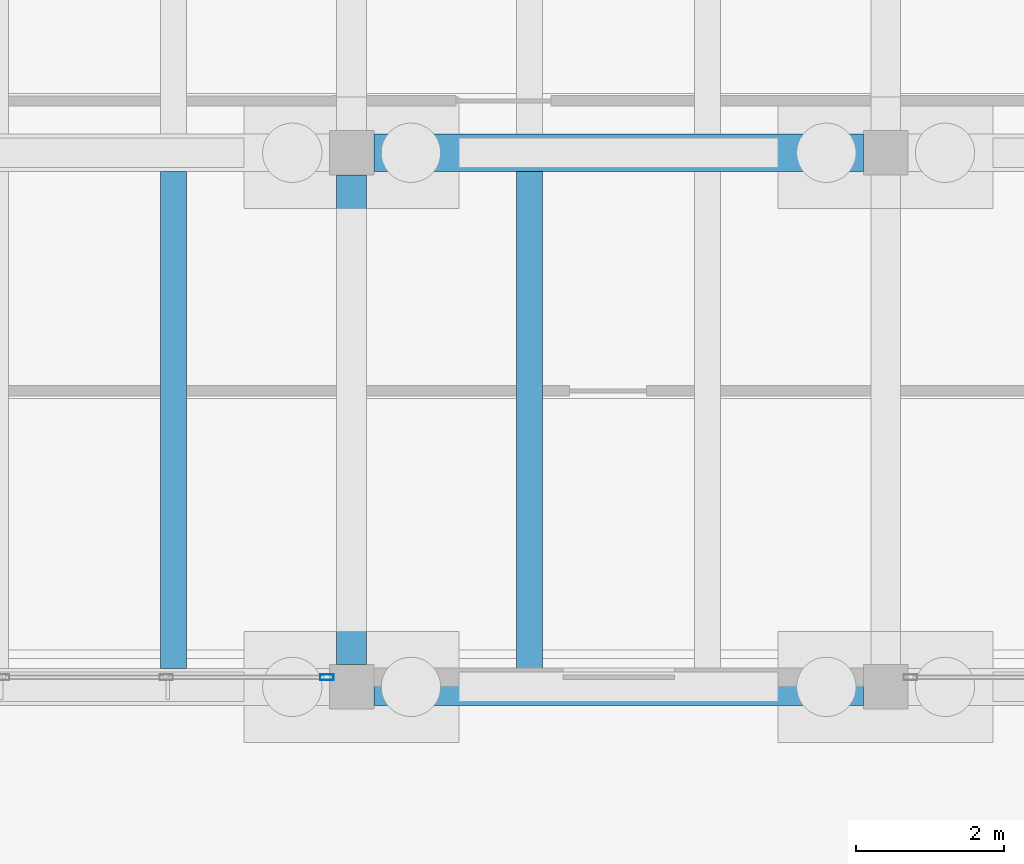
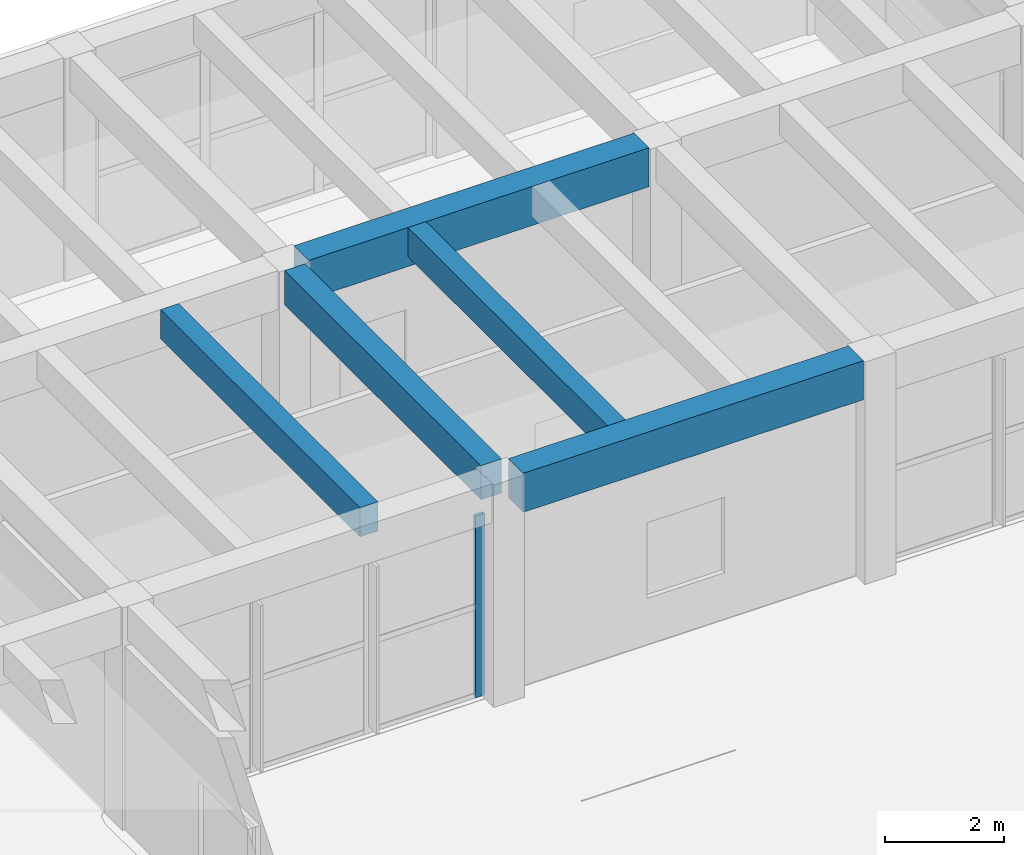
# One storey, part 54 of 155: 5 beams, 1 member, 1 element without a shape of its own.
"""IFC4 building model written with IfcOpenShell, lengths in metres."""

import ifcopenshell
import ifcopenshell.guid

model = None  # the IFC model being written
_history = None  # IfcOwnerHistory: only IFC2X3 demands one
_inside = {}  # id of a spatial element -> (the spatial element, [elements in it])
_under = {}  # id of a project, library or spatial element -> (it, [spatial elements below it])
_declared = {}  # id of a project -> (the project, [libraries it declares])
_typed = {}  # id of a type object -> (the type object, [elements of that type])
_made_of = {}  # id of a material, layer set ... -> (it, [elements and type objects made of it])


def new_model(schema):
    """Start an empty IFC model of exactly this schema.

    Asked for "IFC4X3", IfcOpenShell would pick the latest addendum, in which some entities
    have other attributes; the version numbers below select the first issue.
    IFC2X3 requires an IfcOwnerHistory on every rooted entity: one is made here for all.
    """
    global model, _history
    if schema == "IFC4X3":
        model = ifcopenshell.file(schema_version=(4, 3, 0, 0))
    else:
        model = ifcopenshell.file(schema=schema)
    _inside.clear()
    _under.clear()
    _declared.clear()
    _typed.clear()
    _made_of.clear()
    _history = None
    if model.schema == "IFC2X3":
        org = make("IfcOrganization", Name="unknown")
        user = make(
            "IfcPersonAndOrganization",
            ThePerson=make("IfcPerson", FamilyName="unknown"),
            TheOrganization=org,
        )
        app = make(
            "IfcApplication",
            ApplicationDeveloper=org,
            Version="unknown",
            ApplicationFullName="unknown",
            ApplicationIdentifier="unknown",
        )
        _history = make(
            "IfcOwnerHistory",
            OwningUser=user,
            OwningApplication=app,
            ChangeAction="ADDED",
            CreationDate=0,
        )
    return model


def make(cls, **values):
    """One entity of the class cls with the attributes given. An attribute that is None is left unset."""
    return model.create_entity(
        cls, **{name: value for name, value in values.items() if value is not None}
    )


def rooted(cls, **values):
    """An entity with a GlobalId (a new one), such as an element, a storey or a relation."""
    return make(cls, GlobalId=ifcopenshell.guid.new(), OwnerHistory=_history, **values)


def si_unit(unit_type, name, prefix=None):
    """IfcSIUnit, for example si_unit("LENGTHUNIT", "METRE", prefix="MILLI")."""
    return make("IfcSIUnit", UnitType=unit_type, Prefix=prefix, Name=name)


def assignment(units):
    """IfcUnitAssignment: the units of a project."""
    return None if units is None else make("IfcUnitAssignment", Units=units)


def point(xyz):
    """IfcCartesianPoint."""
    return None if xyz is None else make("IfcCartesianPoint", Coordinates=xyz)


def direction(xyz):
    """IfcDirection."""
    return None if xyz is None else make("IfcDirection", DirectionRatios=xyz)


def frame(location, z_axis=None, x_axis=None):
    """IfcAxis2Placement3D, a coordinate frame: its origin and axes. An axis left out is left unset."""
    return make(
        "IfcAxis2Placement3D",
        Location=point(location),
        Axis=direction(z_axis),
        RefDirection=direction(x_axis),
    )


def frame_2d(location, x_axis=None):
    """IfcAxis2Placement2D, a coordinate frame in the plane: its origin and x axis."""
    return make(
        "IfcAxis2Placement2D", Location=point(location), RefDirection=direction(x_axis)
    )


def origin():
    """The frame at (0, 0, 0) with its axes left unset."""
    return frame((0.0, 0.0, 0.0))


def origin_2d():
    """The frame at (0, 0) in the plane with its x axis left unset."""
    return frame_2d((0.0, 0.0))


def place(relative_to, where):
    """IfcLocalPlacement: puts the frame where relative to a parent placement (None: the world)."""
    return make(
        "IfcLocalPlacement", PlacementRelTo=relative_to, RelativePlacement=where
    )


def context(
    kind, dimensions, precision=None, world=None, true_north=None, identifier=None
):
    """IfcGeometricRepresentationContext, for example the 3D "Model" context."""
    return make(
        "IfcGeometricRepresentationContext",
        ContextIdentifier=identifier,
        ContextType=kind,
        CoordinateSpaceDimension=dimensions,
        Precision=precision,
        WorldCoordinateSystem=world,
        TrueNorth=true_north,
    )


def subcontext(parent, identifier, kind, view, scale=None):
    """IfcGeometricRepresentationSubContext, for example "Body" below "Model"."""
    return make(
        "IfcGeometricRepresentationSubContext",
        ContextIdentifier=identifier,
        ContextType=kind,
        ParentContext=parent,
        TargetScale=scale,
        TargetView=view,
    )


def project(units=None, contexts=None):
    """IfcProject with its units and contexts."""
    return rooted(
        "IfcProject",
        Name="project",
        RepresentationContexts=contexts,
        UnitsInContext=assignment(units),
    )


def spatial(cls, under=None, at=None, **own):
    """A site, building, storey or space (cls), placed at a placement, below another one or the project."""
    s = rooted(cls, ObjectPlacement=at, **own)
    if under is not None:
        _under.setdefault(under.id(), (under, []))[1].append(s)
    return s


def profile(cls, at=None, kind="AREA", **sizes):
    """A parametric profile (cls). Its sizes go by their IFC names, for example OverallWidth=200.0."""
    return make(cls, ProfileType=kind, Position=at, **sizes)


def rectangle(**sizes):
    """IfcRectangleProfileDef."""
    return profile("IfcRectangleProfileDef", **sizes)


def hollow_rectangle(**sizes):
    """IfcRectangleHollowProfileDef."""
    return profile("IfcRectangleHollowProfileDef", **sizes)


def extrude(swept, where, along, depth):
    """IfcExtrudedAreaSolid: the profile swept, set in the frame where, extruded along a direction by depth."""
    return make(
        "IfcExtrudedAreaSolid",
        SweptArea=swept,
        Position=where,
        ExtrudedDirection=direction(along),
        Depth=depth,
    )


def shape(context_of_items, identifier, shape_type, items):
    """IfcShapeRepresentation: the items that make up one representation, for example the "Body"."""
    return make(
        "IfcShapeRepresentation",
        ContextOfItems=context_of_items,
        RepresentationIdentifier=identifier,
        RepresentationType=shape_type,
        Items=items,
    )


def material(Name=None, Category=None):
    """IfcMaterial."""
    return make("IfcMaterial", Name=Name, Category=Category)


def material_profile(
    of_material, cross_section, Name=None, Category=None, Priority=None
):
    """IfcMaterialProfile: a cross section and its material."""
    return make(
        "IfcMaterialProfile",
        Name=Name,
        Material=of_material,
        Profile=cross_section,
        Priority=Priority,
        Category=Category,
    )


def profile_set(profiles, Name=None, composite=None):
    """IfcMaterialProfileSet."""
    return make(
        "IfcMaterialProfileSet",
        Name=Name,
        MaterialProfiles=profiles,
        CompositeProfile=composite,
    )


def made_of(thing, what):
    """Note that an element or type object is made of a material, layer set ...; save() writes the relation."""
    if what is not None:
        _made_of.setdefault(what.id(), (what, []))[1].append(thing)
    return thing


def type_object(cls, material=None, **own):
    """A type object (cls), such as IfcWallType, which elements share."""
    return made_of(rooted(cls, **own), material)


def element(
    cls,
    number,
    at=None,
    inside=None,
    cuts=None,
    type_object=None,
    material=None,
    context=None,
    identifier="Body",
    shape_type=None,
    held_by="IfcProductDefinitionShape",
    body=None,
    shapes=None,
    **own,
):
    """One element of the class cls, such as IfcWall. Its Tag is "e" and its number.

    at: its placement. inside: the storey or other place that contains it. cuts: it is an
    opening in that element (IfcRelVoidsElement). A single representation is given by context,
    identifier, shape_type and body (its items); several are given by shapes. held_by: the class
    of the entity that holds the representations. save() writes the other relations.
    """
    e = rooted(cls, Tag="e%d" % number, ObjectPlacement=at, **own)
    if body is not None:
        shapes = [shape(context, identifier, shape_type, body)]
    if shapes is not None:
        e.Representation = make(held_by, Representations=shapes)
    if inside is not None:
        _inside.setdefault(inside.id(), (inside, []))[1].append(e)
    if cuts is not None:
        rooted(
            "IfcRelVoidsElement", RelatingBuildingElement=cuts, RelatedOpeningElement=e
        )
    if type_object is not None:
        _typed.setdefault(type_object.id(), (type_object, []))[1].append(e)
    return made_of(e, material)


def aggregate(whole, parts):
    """IfcRelAggregates: a whole, such as a stair, and the parts it consists of."""
    return rooted("IfcRelAggregates", RelatingObject=whole, RelatedObjects=parts)


def save(model, path):
    """Write the relations noted so far, then the file.

    IfcRelAggregates (storeys below a building ...), IfcRelContainedInSpatialStructure (elements
    in a storey), IfcRelDefinesByType, IfcRelAssociatesMaterial and IfcRelDeclares: one each for
    every whole, place, type object, material and project.
    """
    for whole, parts in _under.values():
        aggregate(whole, parts)
    for where, things in _inside.values():
        rooted(
            "IfcRelContainedInSpatialStructure",
            RelatedElements=things,
            RelatingStructure=where,
        )
    for kind, things in _typed.values():
        rooted("IfcRelDefinesByType", RelatedObjects=things, RelatingType=kind)
    for what, things in _made_of.values():
        rooted("IfcRelAssociatesMaterial", RelatedObjects=things, RelatingMaterial=what)
    for by, libraries in _declared.values():
        rooted("IfcRelDeclares", RelatingContext=by, RelatedDefinitions=libraries)
    model.write(path)


model = new_model("IFC4")

# Units and contexts
model_context = context("Model", 3, precision=1e-05, world=origin(), true_north=direction((0.0, 1.0)))
body_context = subcontext(model_context, "Body", "Model", "MODEL_VIEW")
ifc_project = project(units=[si_unit("LENGTHUNIT", "METRE"), si_unit("AREAUNIT", "SQUARE_METRE"), si_unit("VOLUMEUNIT", "CUBIC_METRE"), si_unit("PLANEANGLEUNIT", "RADIAN"), si_unit("MASSUNIT", "GRAM", prefix="KILO")], contexts=[model_context])

# Site, building, storey
site_placement = place(None, origin())
site = spatial("IfcSite", under=ifc_project, at=site_placement, CompositionType="ELEMENT")
building_placement = place(site_placement, origin())
building = spatial("IfcBuilding", under=site, at=building_placement, Name="Bramvelor Terrace Health Centre", CompositionType="ELEMENT")
storey_placement = place(building_placement, origin())
storey = spatial("IfcBuildingStorey", under=building, at=storey_placement, Name="L01", CompositionType="ELEMENT", Elevation=0.0)

# Beams
ifc_material_1 = material(Name="Concrete C40/50", Category="concrete")
ifc_material_profile_1 = material_profile(ifc_material_1, rectangle(XDim=0.39990234375, YDim=0.699951171875, at=origin_2d()), Name="RC 400x700")
ifc_profile_set_1 = profile_set([ifc_material_profile_1], Name="Concrete C40/50")
beam_type_1 = type_object("IfcBeamType", Name="BM-RC-G700", PredefinedType="BEAM", material=ifc_profile_set_1)
beam_placement = place(storey_placement, frame((122.39990234375, 50.699951171875, 4.2099609375), z_axis=(0.0, 1.0, 0.0), x_axis=(-1.0, 0.0, 0.0)))
element("IfcBeam", 1, at=beam_placement, inside=storey, type_object=beam_type_1, Name="L01 Floor Girder", PredefinedType="BEAM", context=body_context, shape_type="SweptSolid", body=[
    extrude(rectangle(XDim=0.39990234375, YDim=0.699951171875, at=origin_2d()), origin(), (0.0, 0.0, 1.0), 6.60009765625),
])
ifc_material_2 = material(Name="Concrete C40/50", Category="concrete")
ifc_material_profile_2 = material_profile(ifc_material_2, rectangle(XDim=0.5, YDim=0.800048828125, at=origin_2d()), Name="RC 500x800")
ifc_profile_set_2 = profile_set([ifc_material_profile_2], Name="Concrete C40/50")
beam_type_2 = type_object("IfcBeamType", Name="BM-RC-G800", PredefinedType="BEAM", material=ifc_profile_set_2)
for number, where, z_axis, x_axis, name in (
    (2, (122.699951171875, 50.39990234375, 4.159912109375), (1.0, 0.0, 0.0), (0.0, 1.0, 0.0), "L01 Floor Girder"),
    (3, (122.699951171875, 57.60009765625, 4.159912109375), (1.0, 0.0, 0.0), (0.0, 1.0, 0.0), "L01 Floor Girder"),
):
    element("IfcBeam", number, at=place(storey_placement, frame(where, z_axis=z_axis, x_axis=x_axis)), inside=storey, type_object=beam_type_2, Name=name, PredefinedType="BEAM", context=body_context, shape_type="SweptSolid", body=[
        extrude(rectangle(XDim=0.5, YDim=0.800048828125, at=origin_2d()), origin(), (0.0, 0.0, 1.0), 6.60009765625),
    ])
ifc_material_3 = material(Name="Concrete C40/50", Category="concrete")
ifc_material_profile_3 = material_profile(ifc_material_3, rectangle(XDim=0.35009765625, YDim=0.60009765625, at=origin_2d()), Name="RC 350x600")
ifc_profile_set_3 = profile_set([ifc_material_profile_3], Name="Concrete C40/50")
beam_type_3 = type_object("IfcBeamType", Name="BM-RC-J600", PredefinedType="JOIST", material=ifc_profile_set_3)
for number, where, z_axis, x_axis, name in (
    (4, (120.0, 50.64990234375, 4.260009765625), (0.0, 1.0, 0.0), (-1.0, 0.0, 0.0), "L01 Secondary Floor Joist"),
    (5, (124.800048828125, 50.64990234375, 4.260009765625), (0.0, 1.0, 0.0), (-1.0, 0.0, 0.0), "L01 Secondary Floor Joist"),
):
    element("IfcBeam", number, at=place(storey_placement, frame(where, z_axis=z_axis, x_axis=x_axis)), inside=storey, type_object=beam_type_3, Name=name, PredefinedType="JOIST", context=body_context, shape_type="SweptSolid", body=[
        extrude(rectangle(XDim=0.35009765625, YDim=0.60009765625, at=origin_2d()), origin(), (0.0, 0.0, 1.0), 6.7001953125),
    ])

# Curtain wall, member
ifc_material_4 = material(Name="Anodized aluminium and double low-E glass", Category="aluminium")
curtain_wall_type = type_object("IfcCurtainWallType", Name="CW-SYS-02", PredefinedType="NOTDEFINED", material=ifc_material_4)
curtain_wall_placement = place(storey_placement, origin())
curtain_wall = element("IfcCurtainWall", 6, at=curtain_wall_placement, inside=storey, type_object=curtain_wall_type, Name="L01 Unitized Curtain Wall 44", PredefinedType="NOTDEFINED")
ifc_material_5 = material(Name="Anodized aluminium 6063-T6", Category="aluminium")
ifc_material_profile_4 = material_profile(ifc_material_5, hollow_rectangle(XDim=0.074951171875, YDim=0.179931640625, WallThickness=0.00341796875, at=origin_2d()), Name="ALU-MUL 75x180x3.5")
ifc_profile_set_4 = profile_set([ifc_material_profile_4], Name="Anodized aluminium 6063-T6")
member_type = type_object("IfcMemberType", Name="CW-MUL-65x180", PredefinedType="MULLION", material=ifc_profile_set_4)
member_placement = place(storey_placement, frame((122.0673828125, 50.530029296875, 0.0), z_axis=(0.0, 0.0, 1.0), x_axis=(0.0, -1.0, 0.0)))
member = element("IfcMember", 7, at=member_placement, type_object=member_type, Name="CW-02 mullion 1", PredefinedType="MULLION", context=body_context, shape_type="SweptSolid", body=[
    extrude(hollow_rectangle(XDim=0.074951171875, YDim=0.179931640625, WallThickness=0.00341796875, at=origin_2d()), origin(), (0.0, 0.0, 1.0), 3.719970703125),
])
aggregate(curtain_wall, [member])

save(model, "model.ifc")
